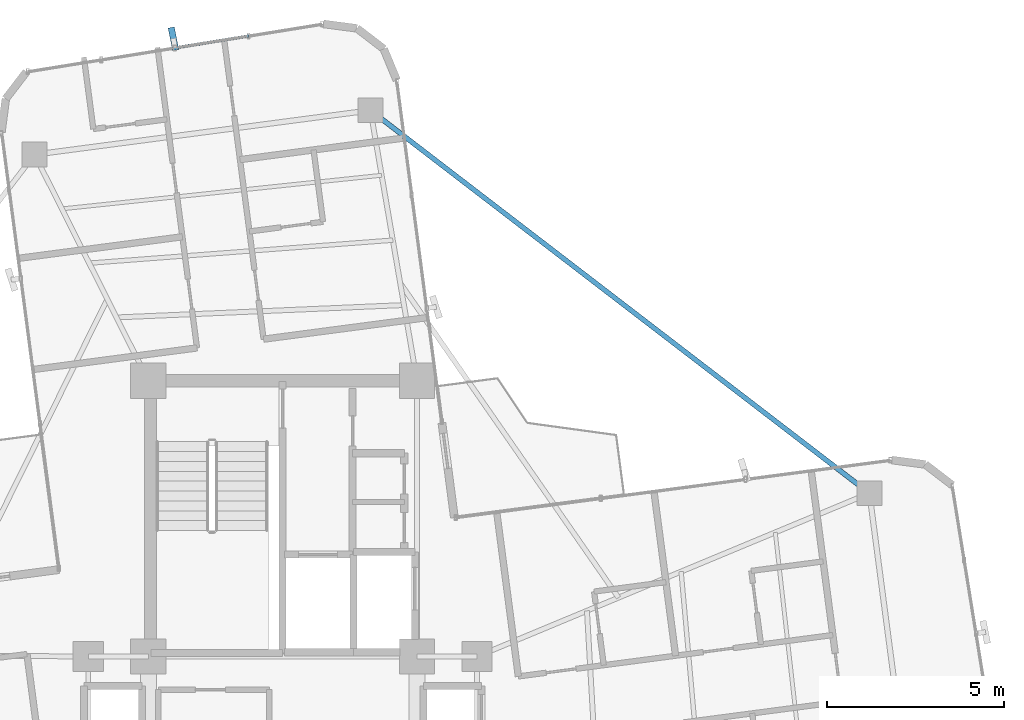
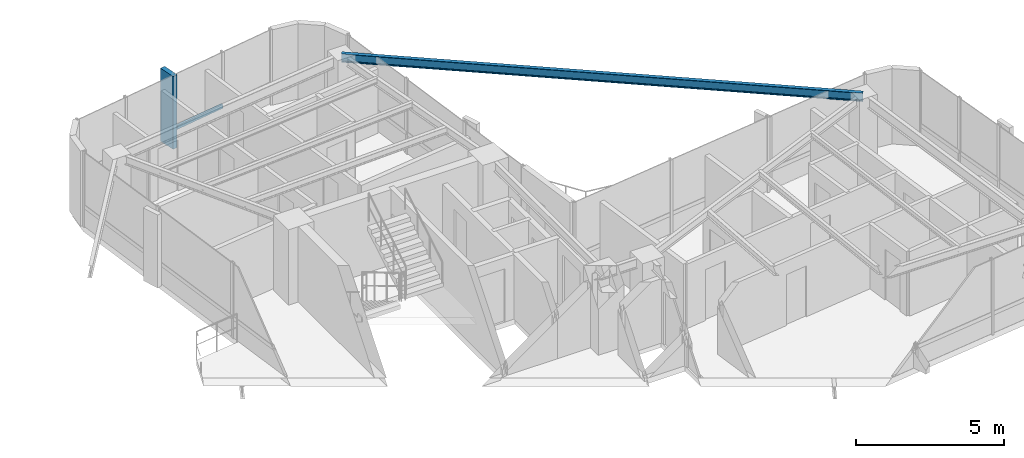
# One storey, part 14 of 22: 2 members, 1 beam, 1 element without a shape of its own.
"""IFC4 building model written with IfcOpenShell, lengths in metres."""

from ifc_helpers import new_model, si_unit, direction, frame, origin, origin_2d, place, context, subcontext, project, spatial, rectangle, hollow_rectangle, i_section, extrude, source, transform, mapped, material, material_profile, profile_set, type_object, element, aggregate, save


model = new_model("IFC4")

# Units and contexts
model_context = context("Model", 3, precision=1e-05, world=origin(), true_north=direction((0.0, 1.0)))
body_context = subcontext(model_context, "Body", "Model", "MODEL_VIEW")
ifc_project = project(units=[si_unit("LENGTHUNIT", "METRE"), si_unit("AREAUNIT", "SQUARE_METRE"), si_unit("VOLUMEUNIT", "CUBIC_METRE"), si_unit("PLANEANGLEUNIT", "RADIAN"), si_unit("MASSUNIT", "GRAM", prefix="KILO")], contexts=[model_context])

# Site, building, storey
site_placement = place(None, origin())
site = spatial("IfcSite", under=ifc_project, at=site_placement, CompositionType="ELEMENT")
building_placement = place(site_placement, origin())
building = spatial("IfcBuilding", under=site, at=building_placement, Name="Sahyath Konkavel Grand Hotel", CompositionType="ELEMENT")
storey_placement = place(building_placement, frame((0.0, 0.0, 223.25)))
storey = spatial("IfcBuildingStorey", under=building, at=storey_placement, Name="L62", CompositionType="ELEMENT", Elevation=223.25)

# Beam
ifc_material_1 = material(Name="Steel E350", Category="steel")
ifc_material_profile_1 = material_profile(ifc_material_1, i_section(OverallWidth=0.139892578125, OverallDepth=0.35009765625, WebThickness=0.008056640625, FlangeThickness=0.01416015625, FilletRadius=0.013916015625, at=origin_2d()), Name="ISMB 350")
ifc_profile_set_1 = profile_set([ifc_material_profile_1], Name="Steel E350")
beam_type = type_object("IfcBeamType", Name="BM-ISMB350", PredefinedType="BEAM", material=ifc_profile_set_1)
shared_shape_1 = source(origin(), body_context, "Body", "SweptSolid", [
    extrude(i_section(OverallWidth=0.139892578125, OverallDepth=0.35009765625, WebThickness=0.008056640625, FlangeThickness=0.01416015625, FilletRadius=0.013916015625, at=origin_2d()), origin(), (0.0, 0.0, 1.0), 17.792236328125),
])
beam_placement = place(storey_placement, frame((16.598876953125, 7.0185546875, 2.93505859375), z_axis=(-0.793350321401, 0.608765363283, 0.0), x_axis=(-0.608765363283, -0.793350321401, 0.0)))
element("IfcBeam", 1, at=beam_placement, inside=storey, type_object=beam_type, Name="L62 Re-Entrant Tie Beam NE", PredefinedType="BEAM", context=body_context, shape_type="MappedRepresentation", body=[
    mapped(shared_shape_1, transform((0.0, 0.0, 0.0), scale=1.0)),
])

# Curtain wall, members
ifc_material_2 = material(Name="Anodised Bronze Aluminium & Low-E Glazing", Category="aluminium")
curtain_wall_type = type_object("IfcCurtainWallType", Name="CW-ZONE4", PredefinedType="NOTDEFINED", material=ifc_material_2)
curtain_wall_placement = place(storey_placement, origin())
curtain_wall = element("IfcCurtainWall", 2, at=curtain_wall_placement, inside=storey, type_object=curtain_wall_type, Name="L62 Unitised Curtain Wall F12", PredefinedType="NOTDEFINED")
ifc_material_3 = material(Name="Warm Buff Sandstone Cladding on Concrete C50/60", Category="masonry")
ifc_material_profile_2 = material_profile(ifc_material_3, rectangle(XDim=0.179931640625, YDim=0.64990234375, at=origin_2d()), Name="FIN 180x650")
ifc_profile_set_2 = profile_set([ifc_material_profile_2], Name="Warm Buff Sandstone Cladding on Concrete C50/60")
member_type_1 = type_object("IfcMemberType", Name="FIN-SANDSTONE-650", PredefinedType="MULLION", material=ifc_profile_set_2)
shared_shape_2 = source(origin(), body_context, "Body", "SweptSolid", [
    extrude(rectangle(XDim=0.179931640625, YDim=0.64990234375, at=origin_2d()), origin(), (0.0, 0.0, 1.0), 3.010009765625),
])
member_1_placement = place(storey_placement, frame((-3.0908203125, 19.87548828125, 0.050048828125), z_axis=(0.0, 0.0, 1.0), x_axis=(0.980785280403, 0.195090322016, 0.0)))
member_1 = element("IfcMember", 3, at=member_1_placement, type_object=member_type_1, Name="L62 Sandstone Vertical Solar Fin FIN F12-2", PredefinedType="MULLION", context=body_context, shape_type="MappedRepresentation", body=[
    mapped(shared_shape_2, transform((0.0, 0.0, 0.0), scale=1.0)),
])
ifc_material_4 = material(Name="Anodised Bronze Aluminium", Category="aluminium")
ifc_material_profile_3 = material_profile(ifc_material_4, hollow_rectangle(XDim=0.080078125, YDim=0.159912109375, WallThickness=0.006103515625, at=origin_2d()), Name="RHS 160x80x6")
ifc_profile_set_3 = profile_set([ifc_material_profile_3], Name="Anodised Bronze Aluminium")
member_type_2 = type_object("IfcMemberType", Name="CW-TRN-160", PredefinedType="USERDEFINED", material=ifc_profile_set_3)
shared_shape_3 = source(origin(), body_context, "Body", "SweptSolid", [
    extrude(hollow_rectangle(XDim=0.080078125, YDim=0.159912109375, WallThickness=0.006103515625, at=origin_2d()), origin(), (0.0, 0.0, 1.0), 2.108154296875),
])
member_2_placement = place(storey_placement, frame((-0.968017578125, 19.954833984375, 0.85009765625), z_axis=(-0.987222909892, -0.159345304869, 0.0), x_axis=(0.159345304869, -0.987222909892, 0.0)))
member_2 = element("IfcMember", 4, at=member_2_placement, type_object=member_type_2, Name="L62 Curtain Wall Transom F12-1-spandrel", ObjectType="TRANSOM", PredefinedType="USERDEFINED", context=body_context, shape_type="MappedRepresentation", body=[
    mapped(shared_shape_3, transform((0.0, 0.0, 0.0), scale=1.0)),
])
aggregate(curtain_wall, [member_1, member_2])

save(model, "model.ifc")
